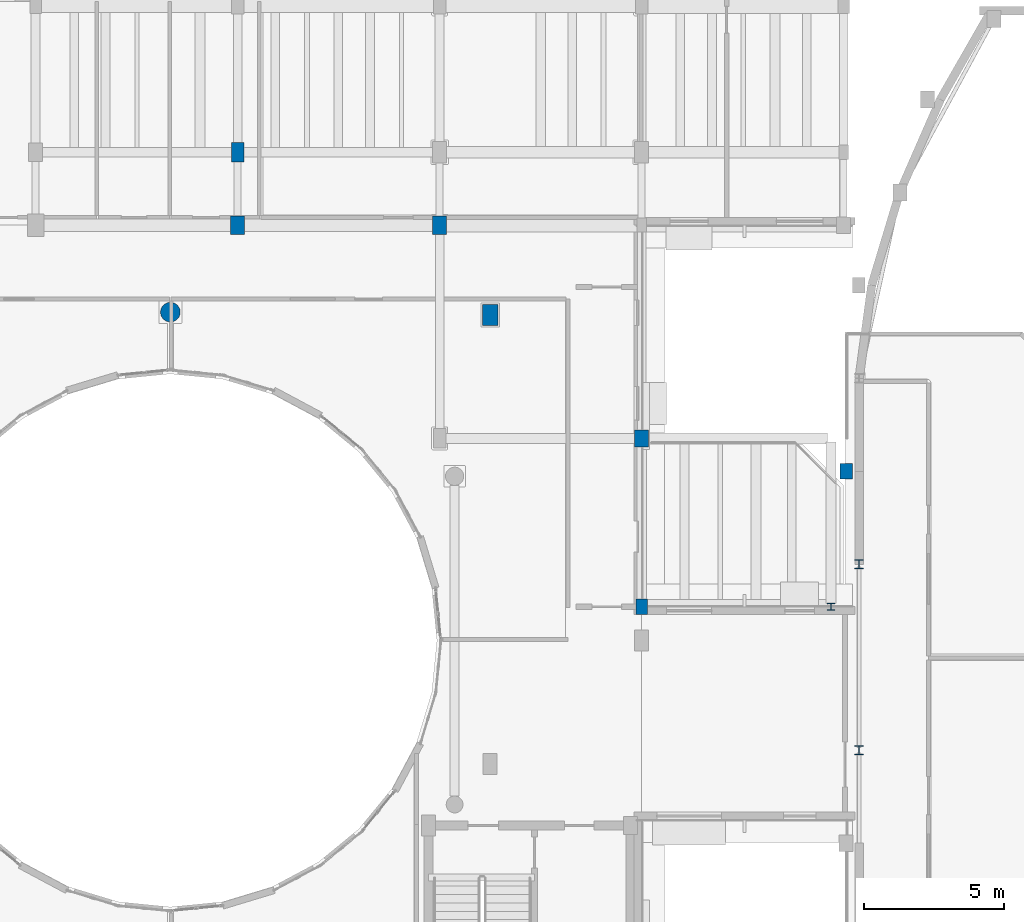
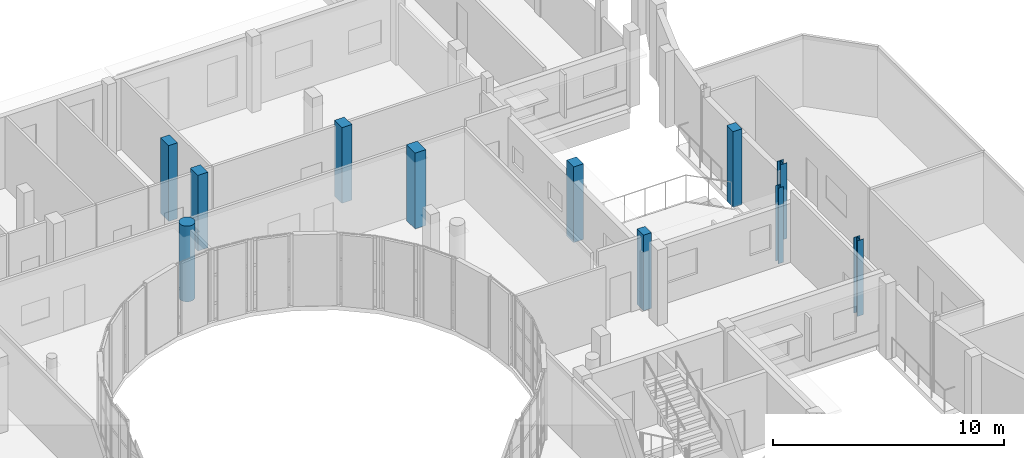
# One storey, part 10 of 92: 11 columns.
"""IFC4 building model written with IfcOpenShell, lengths in metres."""

from ifc_helpers import new_model, si_unit, direction, frame, origin, origin_2d, place, context, subcontext, project, spatial, rectangle, circle, i_section, extrude, material, material_profile, profile_set, type_object, element, save


model = new_model("IFC4")

# Units and contexts
model_context = context("Model", 3, precision=1e-05, world=origin(), true_north=direction((0.0, 1.0)))
body_context = subcontext(model_context, "Body", "Model", "MODEL_VIEW")
ifc_project = project(units=[si_unit("LENGTHUNIT", "METRE"), si_unit("AREAUNIT", "SQUARE_METRE"), si_unit("VOLUMEUNIT", "CUBIC_METRE"), si_unit("PLANEANGLEUNIT", "RADIAN"), si_unit("MASSUNIT", "GRAM", prefix="KILO")], contexts=[model_context])

# Site, building, storey
site_placement = place(None, origin())
site = spatial("IfcSite", under=ifc_project, at=site_placement, CompositionType="ELEMENT")
building_placement = place(site_placement, origin())
building = spatial("IfcBuilding", under=site, at=building_placement, Name="Kelanivale Promenade Academy", CompositionType="ELEMENT")
storey_placement = place(building_placement, frame((0.0, 0.0, 8.199951171875)))
storey = spatial("IfcBuildingStorey", under=building, at=storey_placement, Name="L02", CompositionType="ELEMENT", Elevation=8.199951171875)

# Columns
ifc_material_1 = material(Name="Concrete C40/50", Category="concrete")
ifc_material_profile_1 = material_profile(ifc_material_1, rectangle(XDim=0.39990234375, YDim=0.550048828125, at=origin_2d()), Name="RC-COL 400x550")
ifc_profile_set_1 = profile_set([ifc_material_profile_1], Name="Concrete C40/50")
column_type_1 = type_object("IfcColumnType", Name="C-07 RC-COL 400x550", PredefinedType="COLUMN", material=ifc_profile_set_1)
column_1_placement = place(storey_placement, frame((115.60009765625, 58.0, 0.0), z_axis=(0.0, 0.0, 1.0), x_axis=(1.0, 0.0, 0.0)))
element("IfcColumn", 1, at=column_1_placement, inside=storey, type_object=column_type_1, Name="Column C-07 at (115.6, 58.0) L02", PredefinedType="COLUMN", context=body_context, shape_type="SweptSolid", body=[
    extrude(rectangle(XDim=0.39990234375, YDim=0.550048828125, at=origin_2d()), origin(), (0.0, 0.0, 1.0), 4.0),
])
ifc_material_profile_2 = material_profile(ifc_material_1, rectangle(XDim=0.449951171875, YDim=0.699951171875, at=origin_2d()), Name="RC-COL 450x700")
ifc_profile_set_2 = profile_set([ifc_material_profile_2], Name="Concrete C40/50")
column_type_2 = type_object("IfcColumnType", Name="C-10 RC-COL 450x700", PredefinedType="COLUMN", material=ifc_profile_set_2)
column_2_placement = place(storey_placement, frame((101.199951171875, 74.199951171875, 0.0), z_axis=(0.0, 0.0, 1.0), x_axis=(1.0, 0.0, 0.0)))
element("IfcColumn", 2, at=column_2_placement, inside=storey, type_object=column_type_2, Name="Column C-10 at (101.2, 74.2) L02", PredefinedType="COLUMN", context=body_context, shape_type="SweptSolid", body=[
    extrude(rectangle(XDim=0.449951171875, YDim=0.699951171875, at=origin_2d()), origin(), (0.0, 0.0, 1.0), 4.0),
])
ifc_material_profile_3 = material_profile(ifc_material_1, rectangle(XDim=0.5, YDim=0.64990234375, at=origin_2d()), Name="RC-COL 500x650")
ifc_profile_set_3 = profile_set([ifc_material_profile_3], Name="Concrete C40/50")
column_type_3 = type_object("IfcColumnType", Name="C-11 RC-COL 500x650", PredefinedType="COLUMN", material=ifc_profile_set_3)
for number, where, z_axis, x_axis, name in (
    (3, (101.199951171875, 71.60009765625, 0.0), (0.0, 0.0, 1.0), (1.0, 0.0, 0.0), "Column C-11 at (101.2, 71.6) L02"),
    (4, (108.39990234375, 71.60009765625, 0.0), (0.0, 0.0, 1.0), (1.0, 0.0, 0.0), "Column C-11 at (108.4, 71.6) L02"),
):
    element("IfcColumn", number, at=place(storey_placement, frame(where, z_axis=z_axis, x_axis=x_axis)), inside=storey, type_object=column_type_3, Name=name, PredefinedType="COLUMN", context=body_context, shape_type="SweptSolid", body=[
        extrude(rectangle(XDim=0.5, YDim=0.64990234375, at=origin_2d()), origin(), (0.0, 0.0, 1.0), 4.0),
    ])
ifc_material_profile_4 = material_profile(ifc_material_1, rectangle(XDim=0.550048828125, YDim=0.75, at=origin_2d()), Name="RC-COL 550x750")
ifc_profile_set_4 = profile_set([ifc_material_profile_4], Name="Concrete C40/50")
column_type_4 = type_object("IfcColumnType", Name="C-13 RC-COL 550x750", PredefinedType="COLUMN", material=ifc_profile_set_4)
column_3_placement = place(storey_placement, frame((110.199951171875, 68.39990234375, 0.0), z_axis=(0.0, 0.0, 1.0), x_axis=(1.0, 0.0, 0.0)))
element("IfcColumn", 5, at=column_3_placement, inside=storey, type_object=column_type_4, Name="Column C-13 at (110.2, 68.4) L02", PredefinedType="COLUMN", context=body_context, shape_type="SweptSolid", body=[
    extrude(rectangle(XDim=0.550048828125, YDim=0.75, at=origin_2d()), origin(), (0.0, 0.0, 1.0), 4.0),
])
ifc_material_profile_5 = material_profile(ifc_material_1, circle(Radius=0.35009765625, at=origin_2d()), Name="RC-COL D700")
ifc_profile_set_5 = profile_set([ifc_material_profile_5], Name="Concrete C40/50")
column_type_5 = type_object("IfcColumnType", Name="CC-24 RC-COL D700", PredefinedType="COLUMN", material=ifc_profile_set_5)
column_4_placement = place(storey_placement, frame((98.800048828125, 68.5, 0.0), z_axis=(0.0, 0.0, 1.0), x_axis=(1.0, 0.0, 0.0)))
element("IfcColumn", 6, at=column_4_placement, inside=storey, type_object=column_type_5, Name="Column CC-24 at (98.8, 68.5) L02", PredefinedType="COLUMN", context=body_context, shape_type="SweptSolid", body=[
    extrude(circle(Radius=0.35009765625, at=origin_2d()), origin(), (0.0, 0.0, 1.0), 4.0),
])
ifc_material_profile_6 = material_profile(ifc_material_1, rectangle(XDim=0.449951171875, YDim=0.550048828125, at=origin_2d()), Name="RC-PIL 450x550")
ifc_profile_set_6 = profile_set([ifc_material_profile_6], Name="Concrete C40/50")
column_type_6 = type_object("IfcColumnType", Name="PL-17 RC-PIL 450x550", PredefinedType="PILASTER", material=ifc_profile_set_6)
column_5_placement = place(storey_placement, frame((122.889892578125, 62.8291015625, 0.0), z_axis=(0.0, 0.0, 1.0), x_axis=(1.0, 0.0, 0.0)))
element("IfcColumn", 7, at=column_5_placement, inside=storey, type_object=column_type_6, Name="Column PL-17 at (122.9, 62.8) L02", PredefinedType="PILASTER", context=body_context, shape_type="SweptSolid", body=[
    extrude(rectangle(XDim=0.449951171875, YDim=0.550048828125, at=origin_2d()), origin(), (0.0, 0.0, 1.0), 4.0),
])
ifc_material_profile_7 = material_profile(ifc_material_1, rectangle(XDim=0.5, YDim=0.60009765625, at=origin_2d()), Name="RC-PIL 500x600")
ifc_profile_set_7 = profile_set([ifc_material_profile_7], Name="Concrete C40/50")
column_type_7 = type_object("IfcColumnType", Name="PL-18 RC-PIL 500x600", PredefinedType="PILASTER", material=ifc_profile_set_7)
column_6_placement = place(storey_placement, frame((115.60009765625, 64.0, 0.0), z_axis=(0.0, 0.0, 1.0), x_axis=(1.0, 0.0, 0.0)))
element("IfcColumn", 8, at=column_6_placement, inside=storey, type_object=column_type_7, Name="Column PL-18 at (115.6, 64.0) L02", PredefinedType="PILASTER", context=body_context, shape_type="SweptSolid", body=[
    extrude(rectangle(XDim=0.5, YDim=0.60009765625, at=origin_2d()), origin(), (0.0, 0.0, 1.0), 4.0),
])
ifc_material_2 = material(Name="Steel S355", Category="steel")
ifc_material_profile_8 = material_profile(ifc_material_2, i_section(OverallWidth=0.254638671875, OverallDepth=0.254150390625, WebThickness=0.008544921875, FlangeThickness=0.01416015625, FilletRadius=0.0126953125, at=origin_2d()), Name="UC 254x254x73")
ifc_profile_set_8 = profile_set([ifc_material_profile_8], Name="Steel S355")
column_type_8 = type_object("IfcColumnType", Name="SC-02 UC 254x254x73", PredefinedType="COLUMN", material=ifc_profile_set_8)
column_7_placement = place(storey_placement, frame((122.35009765625, 58.0, 0.0), z_axis=(0.0, 0.0, 1.0), x_axis=(1.0, 0.0, 0.0)))
element("IfcColumn", 9, at=column_7_placement, inside=storey, type_object=column_type_8, Name="Column SC-02 at (122.3, 58.0) L02", PredefinedType="COLUMN", context=body_context, shape_type="SweptSolid", body=[
    extrude(i_section(OverallWidth=0.254638671875, OverallDepth=0.254150390625, WebThickness=0.008544921875, FlangeThickness=0.01416015625, FilletRadius=0.0126953125, at=origin_2d()), origin(), (0.0, 0.0, 1.0), 4.0),
])
ifc_material_profile_9 = material_profile(ifc_material_2, i_section(OverallWidth=0.307373046875, OverallDepth=0.314453125, WebThickness=0.011962890625, FlangeThickness=0.018798828125, FilletRadius=0.01513671875, at=origin_2d()), Name="UC 305x305x118")
ifc_profile_set_9 = profile_set([ifc_material_profile_9], Name="Steel S355")
column_type_9 = type_object("IfcColumnType", Name="SC-04 UC 305x305x118", PredefinedType="COLUMN", material=ifc_profile_set_9)
for number, where, z_axis, x_axis, name in (
    (10, (123.35009765625, 52.885986328125, 0.0), (0.0, 0.0, 1.0), (1.0, 0.0, 0.0), "Column SC-04 at (123.3, 52.9) L02"),
    (11, (123.35009765625, 59.513916015625, 0.0), (0.0, 0.0, 1.0), (1.0, 0.0, 0.0), "Column SC-04 at (123.3, 59.5) L02"),
):
    element("IfcColumn", number, at=place(storey_placement, frame(where, z_axis=z_axis, x_axis=x_axis)), inside=storey, type_object=column_type_9, Name=name, PredefinedType="COLUMN", context=body_context, shape_type="SweptSolid", body=[
        extrude(i_section(OverallWidth=0.307373046875, OverallDepth=0.314453125, WebThickness=0.011962890625, FlangeThickness=0.018798828125, FilletRadius=0.01513671875, at=origin_2d()), origin(), (0.0, 0.0, 1.0), 4.0),
    ])

save(model, "model.ifc")
